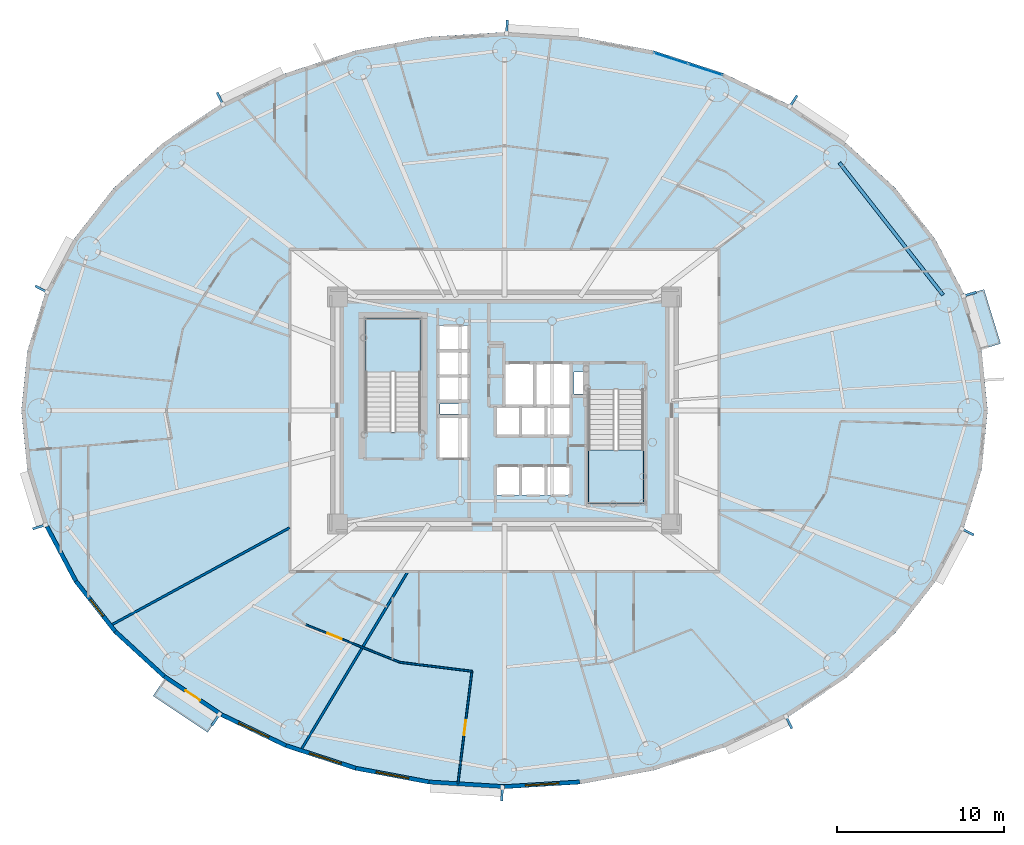
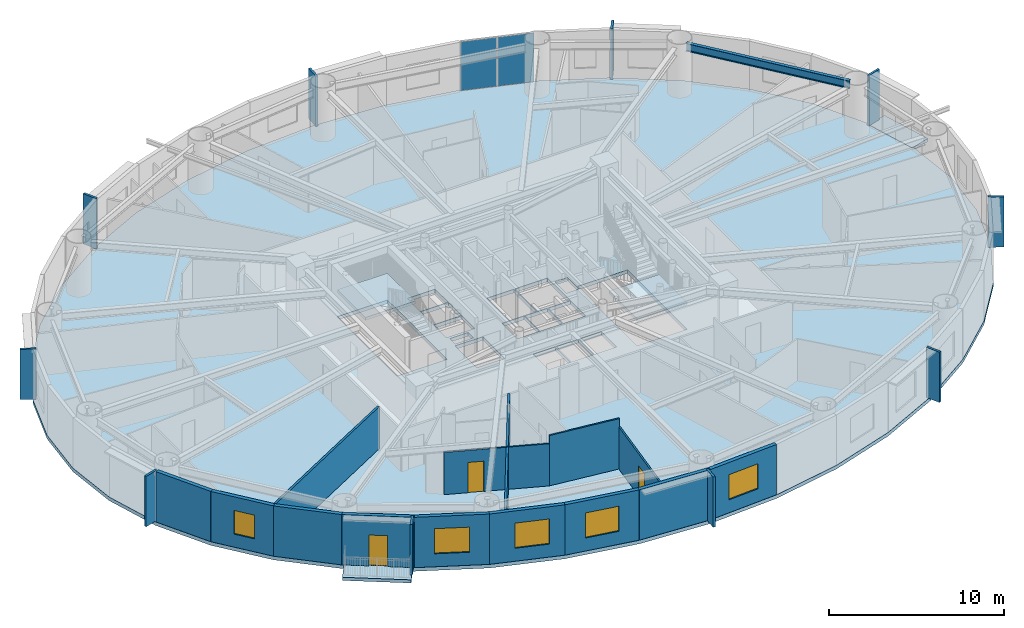
# One storey, part 6 of 18: 14 walls, 12 plates, 5 slabs, 5 windows, 3 doors, 1 beam, 8 openings, 3 elements without a shape of their own.
"""IFC4 building model written with IfcOpenShell, lengths in metres."""

import ifcopenshell
import ifcopenshell.guid

model = None  # the IFC model being written
_history = None  # IfcOwnerHistory: only IFC2X3 demands one
_inside = {}  # id of a spatial element -> (the spatial element, [elements in it])
_under = {}  # id of a project, library or spatial element -> (it, [spatial elements below it])
_declared = {}  # id of a project -> (the project, [libraries it declares])
_typed = {}  # id of a type object -> (the type object, [elements of that type])
_made_of = {}  # id of a material, layer set ... -> (it, [elements and type objects made of it])


def new_model(schema):
    """Start an empty IFC model of exactly this schema.

    Asked for "IFC4X3", IfcOpenShell would pick the latest addendum, in which some entities
    have other attributes; the version numbers below select the first issue.
    IFC2X3 requires an IfcOwnerHistory on every rooted entity: one is made here for all.
    """
    global model, _history
    if schema == "IFC4X3":
        model = ifcopenshell.file(schema_version=(4, 3, 0, 0))
    else:
        model = ifcopenshell.file(schema=schema)
    _inside.clear()
    _under.clear()
    _declared.clear()
    _typed.clear()
    _made_of.clear()
    _history = None
    if model.schema == "IFC2X3":
        org = make("IfcOrganization", Name="unknown")
        user = make(
            "IfcPersonAndOrganization",
            ThePerson=make("IfcPerson", FamilyName="unknown"),
            TheOrganization=org,
        )
        app = make(
            "IfcApplication",
            ApplicationDeveloper=org,
            Version="unknown",
            ApplicationFullName="unknown",
            ApplicationIdentifier="unknown",
        )
        _history = make(
            "IfcOwnerHistory",
            OwningUser=user,
            OwningApplication=app,
            ChangeAction="ADDED",
            CreationDate=0,
        )
    return model


def make(cls, **values):
    """One entity of the class cls with the attributes given. An attribute that is None is left unset."""
    return model.create_entity(
        cls, **{name: value for name, value in values.items() if value is not None}
    )


def rooted(cls, **values):
    """An entity with a GlobalId (a new one), such as an element, a storey or a relation."""
    return make(cls, GlobalId=ifcopenshell.guid.new(), OwnerHistory=_history, **values)


def si_unit(unit_type, name, prefix=None):
    """IfcSIUnit, for example si_unit("LENGTHUNIT", "METRE", prefix="MILLI")."""
    return make("IfcSIUnit", UnitType=unit_type, Prefix=prefix, Name=name)


def assignment(units):
    """IfcUnitAssignment: the units of a project."""
    return None if units is None else make("IfcUnitAssignment", Units=units)


def point(xyz):
    """IfcCartesianPoint."""
    return None if xyz is None else make("IfcCartesianPoint", Coordinates=xyz)


def direction(xyz):
    """IfcDirection."""
    return None if xyz is None else make("IfcDirection", DirectionRatios=xyz)


def frame(location, z_axis=None, x_axis=None):
    """IfcAxis2Placement3D, a coordinate frame: its origin and axes. An axis left out is left unset."""
    return make(
        "IfcAxis2Placement3D",
        Location=point(location),
        Axis=direction(z_axis),
        RefDirection=direction(x_axis),
    )


def frame_2d(location, x_axis=None):
    """IfcAxis2Placement2D, a coordinate frame in the plane: its origin and x axis."""
    return make(
        "IfcAxis2Placement2D", Location=point(location), RefDirection=direction(x_axis)
    )


def origin():
    """The frame at (0, 0, 0) with its axes left unset."""
    return frame((0.0, 0.0, 0.0))


def origin_2d():
    """The frame at (0, 0) in the plane with its x axis left unset."""
    return frame_2d((0.0, 0.0))


def place(relative_to, where):
    """IfcLocalPlacement: puts the frame where relative to a parent placement (None: the world)."""
    return make(
        "IfcLocalPlacement", PlacementRelTo=relative_to, RelativePlacement=where
    )


def context(
    kind, dimensions, precision=None, world=None, true_north=None, identifier=None
):
    """IfcGeometricRepresentationContext, for example the 3D "Model" context."""
    return make(
        "IfcGeometricRepresentationContext",
        ContextIdentifier=identifier,
        ContextType=kind,
        CoordinateSpaceDimension=dimensions,
        Precision=precision,
        WorldCoordinateSystem=world,
        TrueNorth=true_north,
    )


def subcontext(parent, identifier, kind, view, scale=None):
    """IfcGeometricRepresentationSubContext, for example "Body" below "Model"."""
    return make(
        "IfcGeometricRepresentationSubContext",
        ContextIdentifier=identifier,
        ContextType=kind,
        ParentContext=parent,
        TargetScale=scale,
        TargetView=view,
    )


def project(units=None, contexts=None):
    """IfcProject with its units and contexts."""
    return rooted(
        "IfcProject",
        Name="project",
        RepresentationContexts=contexts,
        UnitsInContext=assignment(units),
    )


def spatial(cls, under=None, at=None, **own):
    """A site, building, storey or space (cls), placed at a placement, below another one or the project."""
    s = rooted(cls, ObjectPlacement=at, **own)
    if under is not None:
        _under.setdefault(under.id(), (under, []))[1].append(s)
    return s


def polyline(points):
    """IfcPolyline through the points."""
    return make("IfcPolyline", Points=[point(p) for p in points])


def profile(cls, at=None, kind="AREA", **sizes):
    """A parametric profile (cls). Its sizes go by their IFC names, for example OverallWidth=200.0."""
    return make(cls, ProfileType=kind, Position=at, **sizes)


def rectangle(**sizes):
    """IfcRectangleProfileDef."""
    return profile("IfcRectangleProfileDef", **sizes)


def i_section(**sizes):
    """IfcIShapeProfileDef."""
    return profile("IfcIShapeProfileDef", **sizes)


def outline(outer, holes=None, kind="AREA"):
    """IfcArbitraryClosedProfileDef: a profile drawn as a closed curve; with holes, ...WithVoids."""
    if holes is None:
        return make("IfcArbitraryClosedProfileDef", ProfileType=kind, OuterCurve=outer)
    return make(
        "IfcArbitraryProfileDefWithVoids",
        ProfileType=kind,
        OuterCurve=outer,
        InnerCurves=holes,
    )


def extrude(swept, where, along, depth):
    """IfcExtrudedAreaSolid: the profile swept, set in the frame where, extruded along a direction by depth."""
    return make(
        "IfcExtrudedAreaSolid",
        SweptArea=swept,
        Position=where,
        ExtrudedDirection=direction(along),
        Depth=depth,
    )


def shape(context_of_items, identifier, shape_type, items):
    """IfcShapeRepresentation: the items that make up one representation, for example the "Body"."""
    return make(
        "IfcShapeRepresentation",
        ContextOfItems=context_of_items,
        RepresentationIdentifier=identifier,
        RepresentationType=shape_type,
        Items=items,
    )


def source(mapping_origin, context_of_items, identifier, shape_type, items):
    """IfcRepresentationMap: a shape defined once, which mapped items show again and again."""
    return make(
        "IfcRepresentationMap",
        MappingOrigin=mapping_origin,
        MappedRepresentation=shape(context_of_items, identifier, shape_type, items),
    )


def transform(
    local_origin,
    x_axis=None,
    y_axis=None,
    z_axis=None,
    scale=None,
    scale2=None,
    scale3=None,
    uniform=True,
):
    """IfcCartesianTransformationOperator3D, or its non-uniform kind. x_axis, y_axis, z_axis: its Axis1, 2, 3."""
    if uniform:
        return make(
            "IfcCartesianTransformationOperator3D",
            Axis1=direction(x_axis),
            Axis2=direction(y_axis),
            LocalOrigin=point(local_origin),
            Scale=scale,
            Axis3=direction(z_axis),
        )
    return make(
        "IfcCartesianTransformationOperator3DnonUniform",
        Axis1=direction(x_axis),
        Axis2=direction(y_axis),
        LocalOrigin=point(local_origin),
        Scale=scale,
        Axis3=direction(z_axis),
        Scale2=scale2,
        Scale3=scale3,
    )


def mapped(mapping_source, mapping_target):
    """IfcMappedItem: shows the shape of a source again, moved by a transform."""
    return make(
        "IfcMappedItem", MappingSource=mapping_source, MappingTarget=mapping_target
    )


def material(Name=None, Category=None):
    """IfcMaterial."""
    return make("IfcMaterial", Name=Name, Category=Category)


def layer(
    of_material, thickness, ventilated=None, Name=None, Category=None, Priority=None
):
    """IfcMaterialLayer: one layer of a wall or slab, of a material (None: an air gap)."""
    return make(
        "IfcMaterialLayer",
        Material=of_material,
        LayerThickness=thickness,
        IsVentilated=ventilated,
        Name=Name,
        Category=Category,
        Priority=Priority,
    )


def layer_set(layers, Name=None):
    """IfcMaterialLayerSet."""
    return make("IfcMaterialLayerSet", MaterialLayers=layers, LayerSetName=Name)


def material_profile(
    of_material, cross_section, Name=None, Category=None, Priority=None
):
    """IfcMaterialProfile: a cross section and its material."""
    return make(
        "IfcMaterialProfile",
        Name=Name,
        Material=of_material,
        Profile=cross_section,
        Priority=Priority,
        Category=Category,
    )


def profile_set(profiles, Name=None, composite=None):
    """IfcMaterialProfileSet."""
    return make(
        "IfcMaterialProfileSet",
        Name=Name,
        MaterialProfiles=profiles,
        CompositeProfile=composite,
    )


def made_of(thing, what):
    """Note that an element or type object is made of a material, layer set ...; save() writes the relation."""
    if what is not None:
        _made_of.setdefault(what.id(), (what, []))[1].append(thing)
    return thing


def type_object(cls, material=None, **own):
    """A type object (cls), such as IfcWallType, which elements share."""
    return made_of(rooted(cls, **own), material)


def element(
    cls,
    number,
    at=None,
    inside=None,
    cuts=None,
    type_object=None,
    material=None,
    context=None,
    identifier="Body",
    shape_type=None,
    held_by="IfcProductDefinitionShape",
    body=None,
    shapes=None,
    **own,
):
    """One element of the class cls, such as IfcWall. Its Tag is "e" and its number.

    at: its placement. inside: the storey or other place that contains it. cuts: it is an
    opening in that element (IfcRelVoidsElement). A single representation is given by context,
    identifier, shape_type and body (its items); several are given by shapes. held_by: the class
    of the entity that holds the representations. save() writes the other relations.
    """
    e = rooted(cls, Tag="e%d" % number, ObjectPlacement=at, **own)
    if body is not None:
        shapes = [shape(context, identifier, shape_type, body)]
    if shapes is not None:
        e.Representation = make(held_by, Representations=shapes)
    if inside is not None:
        _inside.setdefault(inside.id(), (inside, []))[1].append(e)
    if cuts is not None:
        rooted(
            "IfcRelVoidsElement", RelatingBuildingElement=cuts, RelatedOpeningElement=e
        )
    if type_object is not None:
        _typed.setdefault(type_object.id(), (type_object, []))[1].append(e)
    return made_of(e, material)


def fill(opening, filler):
    """IfcRelFillsElement: the door or window that sits in an opening."""
    return rooted(
        "IfcRelFillsElement",
        RelatingOpeningElement=opening,
        RelatedBuildingElement=filler,
    )


def aggregate(whole, parts):
    """IfcRelAggregates: a whole, such as a stair, and the parts it consists of."""
    return rooted("IfcRelAggregates", RelatingObject=whole, RelatedObjects=parts)


def save(model, path):
    """Write the relations noted so far, then the file.

    IfcRelAggregates (storeys below a building ...), IfcRelContainedInSpatialStructure (elements
    in a storey), IfcRelDefinesByType, IfcRelAssociatesMaterial and IfcRelDeclares: one each for
    every whole, place, type object, material and project.
    """
    for whole, parts in _under.values():
        aggregate(whole, parts)
    for where, things in _inside.values():
        rooted(
            "IfcRelContainedInSpatialStructure",
            RelatedElements=things,
            RelatingStructure=where,
        )
    for kind, things in _typed.values():
        rooted("IfcRelDefinesByType", RelatedObjects=things, RelatingType=kind)
    for what, things in _made_of.values():
        rooted("IfcRelAssociatesMaterial", RelatedObjects=things, RelatingMaterial=what)
    for by, libraries in _declared.values():
        rooted("IfcRelDeclares", RelatingContext=by, RelatedDefinitions=libraries)
    model.write(path)


model = new_model("IFC4")

# Units and contexts
model_context = context("Model", 3, precision=1e-05, world=origin(), true_north=direction((0.0, 1.0)))
body_context = subcontext(model_context, "Body", "Model", "MODEL_VIEW")
ifc_project = project(units=[si_unit("LENGTHUNIT", "METRE"), si_unit("AREAUNIT", "SQUARE_METRE"), si_unit("VOLUMEUNIT", "CUBIC_METRE"), si_unit("PLANEANGLEUNIT", "RADIAN"), si_unit("MASSUNIT", "GRAM", prefix="KILO")], contexts=[model_context])

# Site, building, storey
site_placement = place(None, origin())
site = spatial("IfcSite", under=ifc_project, at=site_placement, CompositionType="ELEMENT")
building_placement = place(site_placement, origin())
building = spatial("IfcBuilding", under=site, at=building_placement, Name="Linh Dai School and Residence Tower", CompositionType="ELEMENT")
storey_placement = place(building_placement, frame((0.0, 0.0, 100.949951171875)))
storey = spatial("IfcBuildingStorey", under=building, at=storey_placement, Name="L23", CompositionType="ELEMENT", Elevation=100.949951171875)

# Beam
ifc_material_1 = material(Name="Structural Steel S355JR", Category="steel")
ifc_material_profile = material_profile(ifc_material_1, i_section(OverallWidth=0.2099609375, OverallDepth=0.550048828125, WebThickness=0.010986328125, FlangeThickness=0.01708984375, FilletRadius=0.02392578125, at=origin_2d()), Name="IPE 550")
ifc_profile_set = profile_set([ifc_material_profile], Name="Structural Steel S355JR")
beam_type = type_object("IfcBeamType", Name="BM-RB55", PredefinedType="BEAM", material=ifc_profile_set)
beam_placement = place(storey_placement, frame((62.233642578125, 33.91162109375, 3.22509765625), z_axis=(-0.616854830973, 0.787076945098, 0.0), x_axis=(-0.787076945098, -0.616854830973, 0.0)))
element("IfcBeam", 1, at=beam_placement, inside=storey, type_object=beam_type, Name="L23 Perimeter Elliptical Ring Beam 02", PredefinedType="BEAM", context=body_context, shape_type="SweptSolid", body=[
    extrude(i_section(OverallWidth=0.2099609375, OverallDepth=0.550048828125, WebThickness=0.010986328125, FlangeThickness=0.01708984375, FilletRadius=0.02392578125, at=origin_2d()), origin(), (0.0, 0.0, 1.0), 10.053955078125),
])

# Slabs
ifc_material_2 = material(Name="Concrete B45 (C35/45)", Category="concrete")
ifc_layer_1 = layer(ifc_material_2, 0.219970703125)
ifc_layer_set_1 = layer_set([ifc_layer_1], Name="Concrete B45 (C35/45)")
slab_type_1 = type_object("IfcSlabType", Name="SLB-BALC-220", PredefinedType="FLOOR", material=ifc_layer_set_1)
slab_1_placement = place(storey_placement, frame((0.0, 0.0, -0.219970703125)))
element("IfcSlab", 2, at=slab_1_placement, inside=storey, type_object=slab_type_1, Name="L23 Sliding Balcony Slab 02", PredefinedType="FLOOR", context=body_context, shape_type="SweptSolid", body=[
    extrude(outline(polyline([(63.4423828125, 33.86279296875), (64.435302734375, 30.6240234375), (65.67822265625, 31.005126953125), (64.685302734375, 34.243896484375), (63.4423828125, 33.86279296875)])), origin(), (0.0, 0.0, 1.0), 0.219970703125),
])
slab_2_placement = place(storey_placement, frame((0.0, 0.0, -0.219970703125)))
element("IfcSlab", 3, at=slab_2_placement, inside=storey, type_object=slab_type_1, Name="L23 Sliding Balcony Slab 26", PredefinedType="FLOOR", context=body_context, shape_type="SweptSolid", body=[
    extrude(outline(polyline([(18.966796875, 8.81884765625), (15.69970703125, 11.003662109375), (14.97705078125, 9.923095703125), (18.243896484375, 7.73828125), (18.966796875, 8.81884765625)])), origin(), (0.0, 0.0, 1.0), 0.219970703125),
])
ifc_layer_2 = layer(ifc_material_2, 0.25)
ifc_layer_set_2 = layer_set([ifc_layer_2], Name="Concrete B45 (C35/45)")
slab_type_2 = type_object("IfcSlabType", Name="SLB-FLR250", PredefinedType="FLOOR", material=ifc_layer_set_2)
slab_3_placement = place(storey_placement, frame((0.0, 0.0, -0.25)))
element("IfcSlab", 4, at=slab_3_placement, inside=storey, type_object=slab_type_2, Name="L23 Composite Structural Floor Slab", PredefinedType="FLOOR", context=body_context, shape_type="SweptSolid", body=[
    extrude(outline(polyline([(64.89990234375, 27.0), (64.544189453125, 30.5400390625), (63.485595703125, 33.9931640625), (61.75, 37.27392578125), (59.380615234375, 40.301513671875), (56.435302734375, 43.001708984375), (52.987060546875, 45.30810546875), (49.120361328125, 47.16357421875), (44.9306640625, 48.5224609375), (40.52099609375, 49.351318359375), (36.0, 49.6298828125), (31.47900390625, 49.351318359375), (27.0693359375, 48.5224609375), (22.879638671875, 47.16357421875), (19.012939453125, 45.30810546875), (15.564697265625, 43.001708984375), (12.619384765625, 40.301513671875), (10.25, 37.27392578125), (8.514404296875, 33.9931640625), (7.455810546875, 30.5400390625), (7.10009765625, 27.0), (7.455810546875, 23.4599609375), (8.514404296875, 20.0068359375), (10.25, 16.72607421875), (12.619384765625, 13.698486328125), (15.564697265625, 10.998291015625), (19.012939453125, 8.69189453125), (22.879638671875, 6.83642578125), (27.0693359375, 5.4775390625), (31.47900390625, 4.648681640625), (36.0, 4.3701171875), (40.52099609375, 4.648681640625), (44.9306640625, 5.4775390625), (49.120361328125, 6.83642578125), (52.987060546875, 8.69189453125), (56.435302734375, 10.998291015625), (59.380615234375, 13.698486328125), (61.75, 16.72607421875), (63.485595703125, 20.0068359375), (64.544189453125, 23.4599609375), (64.89990234375, 27.0)]), holes=[polyline([(30.97998046875, 25.699951171875), (30.97998046875, 32.5), (27.679931640625, 32.5), (27.679931640625, 25.699951171875), (30.97998046875, 25.699951171875)]), polyline([(41.02001953125, 28.25), (41.02001953125, 21.449951171875), (44.320068359375, 21.449951171875), (44.320068359375, 28.25), (41.02001953125, 28.25)]), polyline([(35.97998046875, 27.280029296875), (37.77001953125, 27.280029296875), (37.77001953125, 29.820068359375), (35.97998046875, 29.820068359375), (35.97998046875, 27.280029296875)]), polyline([(32.030029296875, 24.1298828125), (33.8701171875, 24.1298828125), (33.8701171875, 26.6201171875), (32.030029296875, 26.6201171875), (32.030029296875, 24.1298828125)]), polyline([(37.830078125, 27.280029296875), (39.969970703125, 27.280029296875), (39.969970703125, 29.820068359375), (37.830078125, 29.820068359375), (37.830078125, 27.280029296875)]), polyline([(35.47998046875, 21.929931640625), (36.929931640625, 21.929931640625), (36.929931640625, 23.669921875), (35.47998046875, 23.669921875), (35.47998046875, 21.929931640625)]), polyline([(36.989990234375, 21.929931640625), (38.449951171875, 21.929931640625), (38.449951171875, 23.669921875), (36.989990234375, 23.669921875), (36.989990234375, 21.929931640625)]), polyline([(38.510009765625, 21.929931640625), (39.969970703125, 21.929931640625), (39.969970703125, 23.669921875), (38.510009765625, 23.669921875), (38.510009765625, 21.929931640625)]), polyline([(32.030029296875, 27.580078125), (33.8701171875, 27.580078125), (33.8701171875, 29.030029296875), (32.030029296875, 29.030029296875), (32.030029296875, 27.580078125)]), polyline([(32.030029296875, 29.090087890625), (33.8701171875, 29.090087890625), (33.8701171875, 30.550048828125), (32.030029296875, 30.550048828125), (32.030029296875, 29.090087890625)]), polyline([(32.030029296875, 30.610107421875), (33.8701171875, 30.610107421875), (33.8701171875, 32.070068359375), (32.030029296875, 32.070068359375), (32.030029296875, 30.610107421875)]), polyline([(35.47998046875, 25.47998046875), (36.929931640625, 25.47998046875), (36.929931640625, 27.219970703125), (35.47998046875, 27.219970703125), (35.47998046875, 25.47998046875)]), polyline([(36.989990234375, 25.47998046875), (38.449951171875, 25.47998046875), (38.449951171875, 27.219970703125), (36.989990234375, 27.219970703125), (36.989990234375, 25.47998046875)]), polyline([(38.510009765625, 25.47998046875), (39.969970703125, 25.47998046875), (39.969970703125, 27.219970703125), (38.510009765625, 27.219970703125), (38.510009765625, 25.47998046875)]), polyline([(40.14990234375, 28.0), (40.14990234375, 29.300048828125), (41.0, 29.300048828125), (41.0, 28.280029296875), (40.989990234375, 28.280029296875), (40.989990234375, 28.0), (40.14990234375, 28.0)]), polyline([(32.14990234375, 26.800048828125), (33.35009765625, 26.800048828125), (33.35009765625, 27.39990234375), (32.14990234375, 27.39990234375), (32.14990234375, 26.800048828125)])]), origin(), (0.0, 0.0, 1.0), 0.25),
])

# Stair, slab
stair_type = type_object("IfcStairType", Name="ST-DOG-1550-R1442", PredefinedType="HALF_TURN_STAIR", material=ifc_material_2)
stair_1_placement = place(storey_placement, origin())
stair_1 = element("IfcStair", 5, at=stair_1_placement, inside=storey, type_object=stair_type, Name="L23 Core Smokeproof Exit Stair ST1", PredefinedType="HALF_TURN_STAIR")
ifc_layer_3 = layer(ifc_material_2, 0.199951171875)
ifc_layer_set_3 = layer_set([ifc_layer_3], Name="Concrete B45 (C35/45)")
slab_type_3 = type_object("IfcSlabType", Name="SLB-ST-LANDING-200", PredefinedType="LANDING", material=ifc_layer_set_3)
slab_4_placement = place(storey_placement, frame((0.0, 0.0, 1.675048828125)))
slab_4 = element("IfcSlab", 6, at=slab_4_placement, type_object=slab_type_3, Name="ST1 landing 1", PredefinedType="LANDING", context=body_context, shape_type="SweptSolid", body=[
    extrude(outline(polyline([(30.97998046875, 29.300048828125), (30.97998046875, 32.5), (27.679931640625, 32.5), (27.679931640625, 29.300048828125), (30.97998046875, 29.300048828125)])), origin(), (0.0, 0.0, 1.0), 0.199951171875),
])
aggregate(stair_1, [slab_4])

stair_2_placement = place(storey_placement, origin())
stair_2 = element("IfcStair", 7, at=stair_2_placement, inside=storey, type_object=stair_type, Name="L23 Core Smokeproof Exit Stair ST2", PredefinedType="HALF_TURN_STAIR")
slab_5_placement = place(storey_placement, frame((0.0, 0.0, 1.675048828125)))
slab_5 = element("IfcSlab", 8, at=slab_5_placement, type_object=slab_type_3, Name="ST2 landing 1", PredefinedType="LANDING", context=body_context, shape_type="SweptSolid", body=[
    extrude(outline(polyline([(41.02001953125, 24.64990234375), (41.02001953125, 21.449951171875), (44.320068359375, 21.449951171875), (44.320068359375, 24.64990234375), (41.02001953125, 24.64990234375)])), origin(), (0.0, 0.0, 1.0), 0.199951171875),
])
aggregate(stair_2, [slab_5])

# Plates
ifc_material_3 = material(Name="Precast Concrete B45 (C35/45)", Category="concrete")
ifc_layer_4 = layer(ifc_material_3, 0.139892578125)
ifc_layer_set_4 = layer_set([ifc_layer_4], Name="Precast Concrete B45 (C35/45)")
plate_type_1 = type_object("IfcPlateType", Name="FIN-TC-900x140", PredefinedType="USERDEFINED", material=ifc_layer_set_4)
shared_shape_1 = source(origin(), body_context, "Body", "SweptSolid", [
    extrude(rectangle(XDim=0.89990234375, YDim=0.139892578125, at=origin_2d()), origin(), (0.0, 0.0, 1.0), 3.5),
])
for number, where, z_axis, x_axis, name in (
    (9, (63.79736328125, 33.95068359375, 0.0), (0.0, 0.0, 1.0), (0.956071511028, 0.293133528962, 0.0), "L23 Precast Terracotta Radial Fin 02"),
    (10, (53.2529296875, 45.473388671875, 0.0), (0.0, 0.0, 1.0), (0.555913198527, 0.831240347736, 0.0), "L23 Precast Terracotta Radial Fin 06"),
    (11, (36.14501953125, 49.90673828125, 0.0), (0.0, 0.0, 1.0), (0.061509255091, 0.998106513123, 0.0), "L23 Precast Terracotta Radial Fin 10"),
    (12, (19.005615234375, 45.620849609375, 0.0), (0.0, 0.0, 1.0), (-0.432617589064, 0.901577518371, 0.0), "L23 Precast Terracotta Radial Fin 14"),
    (13, (8.32373046875, 34.242919921875, 0.0), (0.0, 0.0, 1.0), (-0.883942180016, 0.467596217252, 0.0), "L23 Precast Terracotta Radial Fin 18"),
    (14, (8.20263671875, 20.04931640625, 0.0), (0.0, 0.0, 1.0), (-0.956071511028, -0.293133528962, 0.0), "L23 Precast Terracotta Radial Fin 22"),
    (15, (18.7470703125, 8.526611328125, 0.0), (0.0, 0.0, 1.0), (-0.555913198527, -0.831240347736, 0.0), "L23 Precast Terracotta Radial Fin 26"),
    (16, (35.85498046875, 4.09326171875, 0.0), (0.0, 0.0, 1.0), (-0.061509255091, -0.998106513123, 0.0), "L23 Precast Terracotta Radial Fin 30"),
    (17, (52.994384765625, 8.379150390625, 0.0), (0.0, 0.0, 1.0), (0.432617589064, -0.901577518371, 0.0), "L23 Precast Terracotta Radial Fin 34"),
    (18, (63.67626953125, 19.757080078125, 0.0), (0.0, 0.0, 1.0), (0.883942180016, -0.467596217252, 0.0), "L23 Precast Terracotta Radial Fin 38"),
):
    element("IfcPlate", number, at=place(storey_placement, frame(where, z_axis=z_axis, x_axis=x_axis)), inside=storey, type_object=plate_type_1, Name=name, ObjectType="RADIAL FIN", PredefinedType="USERDEFINED", context=body_context, shape_type="MappedRepresentation", body=[
        mapped(shared_shape_1, transform((0.0, 0.0, 0.0), x_axis=(1.0, 0.0, 0.0), y_axis=(0.0, 1.0, 0.0), z_axis=(0.0, 0.0, 1.0), scale=1.0)),
    ])

# Curtain wall, plates
ifc_material_4 = material(Name="Aluminium Anodised Curtain Wall", Category="aluminium")
ifc_layer_5 = layer(ifc_material_4, 0.14990234375)
ifc_layer_set_5 = layer_set([ifc_layer_5], Name="Aluminium Anodised Curtain Wall")
curtain_wall_type = type_object("IfcCurtainWallType", Name="CW-SYS-4", PredefinedType="USERDEFINED", material=ifc_layer_set_5)
curtain_wall_placement = place(storey_placement, origin())
curtain_wall = element("IfcCurtainWall", 19, at=curtain_wall_placement, inside=storey, type_object=curtain_wall_type, Name="L23 CW4 Curtain Wall 08", ObjectType="RIBBON CURTAIN WALL", PredefinedType="USERDEFINED")
ifc_material_5 = material(Name="Double Low-E Insulated Glazing", Category="glass")
ifc_layer_6 = layer(ifc_material_5, 0.02587890625)
ifc_layer_set_6 = layer_set([ifc_layer_6], Name="Double Low-E Insulated Glazing")
plate_type_2 = type_object("IfcPlateType", Name="CW-SYS-4-PAN", PredefinedType="CURTAIN_PANEL", material=ifc_layer_set_6)
shared_shape_2 = source(origin(), body_context, "Body", "SweptSolid", [
    extrude(rectangle(XDim=2.1162109375, YDim=0.02587890625, at=origin_2d()), origin(), (0.0, 0.0, 1.0), 3.39599609375),
])
plate_1_placement = place(storey_placement, frame((45.955810546875, 48.058837890625, 0.052001953125), z_axis=(0.0, 0.0, 1.0), x_axis=(0.951217089442, -0.308522363457, 0.0)))
plate_1 = element("IfcPlate", 20, at=plate_1_placement, type_object=plate_type_2, Name="CW4 panel 1.1", PredefinedType="CURTAIN_PANEL", context=body_context, shape_type="MappedRepresentation", body=[
    mapped(shared_shape_2, transform((0.0, 0.0, 0.0), x_axis=(1.0, 0.0, 0.0), y_axis=(0.0, 1.0, 0.0), z_axis=(0.0, 0.0, 1.0), scale=1.0)),
])
plate_2_placement = place(storey_placement, frame((48.01806640625, 47.389892578125, 0.052001953125), z_axis=(0.0, 0.0, 1.0), x_axis=(0.951217089442, -0.308522363457, 0.0)))
plate_2 = element("IfcPlate", 21, at=plate_2_placement, type_object=plate_type_2, Name="CW4 panel 2.1", PredefinedType="CURTAIN_PANEL", context=body_context, shape_type="MappedRepresentation", body=[
    mapped(shared_shape_2, transform((0.0, 0.0, 0.0), x_axis=(1.0, 0.0, 0.0), y_axis=(0.0, 1.0, 0.0), z_axis=(0.0, 0.0, 1.0), scale=1.0)),
])
aggregate(curtain_wall, [plate_1, plate_2])

# Wall
ifc_layer_7 = layer(ifc_material_3, 0.239990234375)
ifc_layer_set_7 = layer_set([ifc_layer_7], Name="Precast Concrete B45 (C35/45)")
wall_type_1 = type_object("IfcWallType", Name="EW-TC-240", PredefinedType="SOLIDWALL", material=ifc_layer_set_7)
wall_1_placement = place(storey_placement, frame((10.354736328125, 16.79443359375, 0.0), z_axis=(0.0, 0.0, 1.0), x_axis=(-0.467614004126, 0.883932770716, 0.0)))
element("IfcWall", 22, at=wall_1_placement, inside=storey, type_object=wall_type_1, Name="L23 Terracotta Exterior Wall 23", PredefinedType="SOLIDWALL", context=body_context, shape_type="SweptSolid", body=[
    extrude(rectangle(XDim=3.688720703125, YDim=0.239990234375, at=frame_2d((1.84423828125, 0.0))), origin(), (0.0, 0.0, 1.0), 3.5),
])

# Wall, opening, window
wall_2_placement = place(storey_placement, frame((12.7109375, 13.783447265625, 0.0), z_axis=(0.0, 0.0, 1.0), x_axis=(-0.616272103517, 0.787533297345, 0.0)))
wall_2 = element("IfcWall", 23, at=wall_2_placement, inside=storey, type_object=wall_type_1, Name="L23 Terracotta Exterior Wall 24", PredefinedType="SOLIDWALL", context=body_context, shape_type="SweptSolid", body=[
    extrude(rectangle(XDim=3.8232421875, YDim=0.239990234375, at=frame_2d((1.91162109375, 0.0))), origin(), (0.0, 0.0, 1.0), 3.5),
])
opening_1_placement = place(wall_2_placement, frame((1.168212890625, 0.0, 0.89990234375)))
opening_1 = element("IfcOpeningElement", 24, at=opening_1_placement, cuts=wall_2, Name="Opening W3", PredefinedType="OPENING", context=body_context, shape_type="SweptSolid", body=[
    extrude(rectangle(XDim=1.25, YDim=1.64990234375, at=origin_2d()), frame((0.625, 0.1298828125, 0.824951171875), z_axis=(0.0, -1.0, 0.0), x_axis=(1.0, 0.0, 0.0)), (0.0, 0.0, 1.0), 0.260009765625),
])
window_type_1 = type_object("IfcWindowType", Name="WN-RES-1250x1650", PartitioningType="SINGLE_PANEL", PredefinedType="WINDOW", material=ifc_material_5)
shared_shape_3 = source(origin(), body_context, "Body", "SweptSolid", [
    extrude(rectangle(XDim=1.25, YDim=1.64990234375, at=origin_2d()), frame((0.625, 0.030029296875, 0.824951171875), z_axis=(0.0, -1.0, 0.0), x_axis=(1.0, 0.0, 0.0)), (0.0, 0.0, 1.0), 0.06005859375),
])
window_1_placement = place(opening_1_placement, origin())
window_1 = element("IfcWindow", 25, at=window_1_placement, inside=storey, type_object=window_type_1, Name="L23 Exterior Window 24.1", OverallHeight=1.64990234375, OverallWidth=1.25, PartitioningType="SINGLE_PANEL", PredefinedType="WINDOW", context=body_context, shape_type="MappedRepresentation", body=[
    mapped(shared_shape_3, transform((0.0, 0.0, 0.0), x_axis=(1.0, 0.0, 0.0), y_axis=(0.0, 1.0, 0.0), z_axis=(0.0, 0.0, 1.0), scale=1.0)),
])
fill(opening_1, window_1)

# Wall
wall_3_placement = place(storey_placement, frame((15.6416015625, 11.0966796875, 0.0), z_axis=(0.0, 0.0, 1.0), x_axis=(-0.737113356241, 0.675769117414, 0.0)))
element("IfcWall", 26, at=wall_3_placement, inside=storey, type_object=wall_type_1, Name="L23 Terracotta Exterior Wall 25", PredefinedType="SOLIDWALL", context=body_context, shape_type="SweptSolid", body=[
    extrude(rectangle(XDim=3.975830078125, YDim=0.239990234375, at=frame_2d((1.98779296875, 0.0))), origin(), (0.0, 0.0, 1.0), 3.5),
])

# Wall, opening, door
wall_4_placement = place(storey_placement, frame((19.07470703125, 8.800537109375, 0.0), z_axis=(0.0, 0.0, 1.0), x_axis=(-0.831221811447, 0.555940914284, 0.0)))
wall_4 = element("IfcWall", 27, at=wall_4_placement, inside=storey, type_object=wall_type_1, Name="L23 Terracotta Exterior Wall 26", PredefinedType="SOLIDWALL", context=body_context, shape_type="SweptSolid", body=[
    extrude(rectangle(XDim=4.130126953125, YDim=0.239990234375, at=frame_2d((2.06494140625, 0.0))), origin(), (0.0, 0.0, 1.0), 3.5),
])
opening_2_placement = place(wall_4_placement, frame((1.5400390625, 0.0, 0.0)))
opening_2 = element("IfcOpeningElement", 28, at=opening_2_placement, cuts=wall_4, Name="Opening BD1", PredefinedType="OPENING", context=body_context, shape_type="SweptSolid", body=[
    extrude(rectangle(XDim=1.050048828125, YDim=2.14990234375, at=origin_2d()), frame((0.52490234375, 0.1298828125, 1.074951171875), z_axis=(0.0, -1.0, 0.0), x_axis=(1.0, 0.0, 0.0)), (0.0, 0.0, 1.0), 0.260009765625),
])
ifc_material_6 = material(Name="Double-Glazed Balcony Door", Category="glass")
door_type_1 = type_object("IfcDoorType", Name="DR-BALC-1050x2150", OperationType="NOTDEFINED", PredefinedType="DOOR", material=ifc_material_6)
shared_shape_4 = source(origin(), body_context, "Body", "SweptSolid", [
    extrude(rectangle(XDim=1.050048828125, YDim=2.14990234375, at=origin_2d()), frame((0.52490234375, 0.02490234375, 1.074951171875), z_axis=(0.0, -1.0, 0.0), x_axis=(1.0, 0.0, 0.0)), (0.0, 0.0, 1.0), 0.050048828125),
])
door_1_placement = place(opening_2_placement, origin())
door_1 = element("IfcDoor", 29, at=door_1_placement, inside=storey, type_object=door_type_1, Name="L23 Glazed Balcony Door 26", OperationType="SINGLE_SWING_LEFT", OverallHeight=2.14990234375, OverallWidth=1.050048828125, PredefinedType="DOOR", context=body_context, shape_type="MappedRepresentation", body=[
    mapped(shared_shape_4, transform((0.0, 0.0, 0.0), x_axis=(1.0, 0.0, 0.0), y_axis=(0.0, 1.0, 0.0), z_axis=(0.0, 0.0, 1.0), scale=1.0)),
])
fill(opening_2, door_1)

# Wall, opening, window
wall_5_placement = place(storey_placement, frame((22.926025390625, 6.95263671875, 0.0), z_axis=(0.0, 0.0, 1.0), x_axis=(-0.901589935876, 0.432591709962, 0.0)))
wall_5 = element("IfcWall", 30, at=wall_5_placement, inside=storey, type_object=wall_type_1, Name="L23 Terracotta Exterior Wall 27", PredefinedType="SOLIDWALL", context=body_context, shape_type="SweptSolid", body=[
    extrude(rectangle(XDim=4.271728515625, YDim=0.239990234375, at=frame_2d((2.1357421875, 0.0))), origin(), (0.0, 0.0, 1.0), 3.5),
])
opening_3_placement = place(wall_5_placement, frame((1.1357421875, 0.0, 0.89990234375)))
opening_3 = element("IfcOpeningElement", 31, at=opening_3_placement, cuts=wall_5, Name="Opening W1", PredefinedType="OPENING", context=body_context, shape_type="SweptSolid", body=[
    extrude(rectangle(XDim=2.0, YDim=1.75, at=origin_2d()), frame((1.0, 0.1298828125, 0.875), z_axis=(0.0, -1.0, 0.0), x_axis=(1.0, 0.0, 0.0)), (0.0, 0.0, 1.0), 0.260009765625),
])
window_type_2 = type_object("IfcWindowType", Name="WN-RES-2000x1750", PartitioningType="DOUBLE_PANEL_VERTICAL", PredefinedType="WINDOW", material=ifc_material_5)
shared_shape_5 = source(origin(), body_context, "Body", "SweptSolid", [
    extrude(rectangle(XDim=2.0, YDim=1.75, at=origin_2d()), frame((1.0, 0.030029296875, 0.875), z_axis=(0.0, -1.0, 0.0), x_axis=(1.0, 0.0, 0.0)), (0.0, 0.0, 1.0), 0.06005859375),
])
window_2_placement = place(opening_3_placement, origin())
window_2 = element("IfcWindow", 32, at=window_2_placement, inside=storey, type_object=window_type_2, Name="L23 Exterior Window 27.1", OverallHeight=1.75, OverallWidth=2.0, PartitioningType="DOUBLE_PANEL_VERTICAL", PredefinedType="WINDOW", context=body_context, shape_type="MappedRepresentation", body=[
    mapped(shared_shape_5, transform((0.0, 0.0, 0.0), x_axis=(1.0, 0.0, 0.0), y_axis=(0.0, 1.0, 0.0), z_axis=(0.0, 0.0, 1.0), scale=1.0)),
])
fill(opening_3, window_2)

wall_6_placement = place(storey_placement, frame((27.100341796875, 5.5986328125, 0.0), z_axis=(0.0, 0.0, 1.0), x_axis=(-0.951211346073, 0.308540070495, 0.0)))
wall_6 = element("IfcWall", 33, at=wall_6_placement, inside=storey, type_object=wall_type_1, Name="L23 Terracotta Exterior Wall 28", PredefinedType="SOLIDWALL", context=body_context, shape_type="SweptSolid", body=[
    extrude(rectangle(XDim=4.388427734375, YDim=0.239990234375, at=frame_2d((2.1943359375, 0.0))), origin(), (0.0, 0.0, 1.0), 3.5),
])
opening_4_placement = place(wall_6_placement, frame((0.908935546875, 0.0, 0.89990234375)))
opening_4 = element("IfcOpeningElement", 34, at=opening_4_placement, cuts=wall_6, Name="Opening W1", PredefinedType="OPENING", context=body_context, shape_type="SweptSolid", body=[
    extrude(rectangle(XDim=2.0, YDim=1.75, at=origin_2d()), frame((1.0, 0.1298828125, 0.875), z_axis=(0.0, -1.0, 0.0), x_axis=(1.0, 0.0, 0.0)), (0.0, 0.0, 1.0), 0.260009765625),
])
window_3_placement = place(opening_4_placement, origin())
window_3 = element("IfcWindow", 35, at=window_3_placement, inside=storey, type_object=window_type_2, Name="L23 Exterior Window 28.1", OverallHeight=1.75, OverallWidth=2.0, PartitioningType="DOUBLE_PANEL_VERTICAL", PredefinedType="WINDOW", context=body_context, shape_type="MappedRepresentation", body=[
    mapped(shared_shape_5, transform((0.0, 0.0, 0.0), x_axis=(1.0, 0.0, 0.0), y_axis=(0.0, 1.0, 0.0), z_axis=(0.0, 0.0, 1.0), scale=1.0)),
])
fill(opening_4, window_3)

wall_7_placement = place(storey_placement, frame((31.494384765625, 4.772705078125, 0.0), z_axis=(0.0, 0.0, 1.0), x_axis=(-0.982789252177, 0.184730305596, 0.0)))
wall_7 = element("IfcWall", 36, at=wall_7_placement, inside=storey, type_object=wall_type_1, Name="L23 Terracotta Exterior Wall 29", PredefinedType="SOLIDWALL", context=body_context, shape_type="SweptSolid", body=[
    extrude(rectangle(XDim=4.470947265625, YDim=0.239990234375, at=frame_2d((2.2353515625, 0.0))), origin(), (0.0, 0.0, 1.0), 3.5),
])
opening_5_placement = place(wall_7_placement, frame((1.235595703125, 0.0, 0.89990234375)))
opening_5 = element("IfcOpeningElement", 37, at=opening_5_placement, cuts=wall_7, Name="Opening W1", PredefinedType="OPENING", context=body_context, shape_type="SweptSolid", body=[
    extrude(rectangle(XDim=2.0, YDim=1.75, at=origin_2d()), frame((1.0, 0.1298828125, 0.875), z_axis=(0.0, -1.0, 0.0), x_axis=(1.0, 0.0, 0.0)), (0.0, 0.0, 1.0), 0.260009765625),
])
window_4_placement = place(opening_5_placement, origin())
window_4 = element("IfcWindow", 38, at=window_4_placement, inside=storey, type_object=window_type_2, Name="L23 Exterior Window 29.1", OverallHeight=1.75, OverallWidth=2.0, PartitioningType="DOUBLE_PANEL_VERTICAL", PredefinedType="WINDOW", context=body_context, shape_type="MappedRepresentation", body=[
    mapped(shared_shape_5, transform((0.0, 0.0, 0.0), x_axis=(1.0, 0.0, 0.0), y_axis=(0.0, 1.0, 0.0), z_axis=(0.0, 0.0, 1.0), scale=1.0)),
])
fill(opening_5, window_4)

# Wall
wall_8_placement = place(storey_placement, frame((36.0, 4.4951171875, 0.0), z_axis=(0.0, 0.0, 1.0), x_axis=(-0.998107531589, 0.061492726276, 0.0)))
element("IfcWall", 39, at=wall_8_placement, inside=storey, type_object=wall_type_1, Name="L23 Terracotta Exterior Wall 30", PredefinedType="SOLIDWALL", context=body_context, shape_type="SweptSolid", body=[
    extrude(rectangle(XDim=4.51416015625, YDim=0.239990234375, at=frame_2d((2.257080078125, 0.0))), origin(), (0.0, 0.0, 1.0), 3.5),
])

# Wall, opening, window
wall_9_placement = place(storey_placement, frame((40.505615234375, 4.772705078125, 0.0), z_axis=(0.0, 0.0, 1.0), x_axis=(-0.998107531589, -0.061492726276, 0.0)))
wall_9 = element("IfcWall", 40, at=wall_9_placement, inside=storey, type_object=wall_type_1, Name="L23 Terracotta Exterior Wall 31", PredefinedType="SOLIDWALL", context=body_context, shape_type="SweptSolid", body=[
    extrude(rectangle(XDim=4.51416015625, YDim=0.239990234375, at=frame_2d((2.257080078125, 0.0))), origin(), (0.0, 0.0, 1.0), 3.5),
])
opening_6_placement = place(wall_9_placement, frame((1.257080078125, 0.0, 0.89990234375)))
opening_6 = element("IfcOpeningElement", 41, at=opening_6_placement, cuts=wall_9, Name="Opening W1", PredefinedType="OPENING", context=body_context, shape_type="SweptSolid", body=[
    extrude(rectangle(XDim=2.0, YDim=1.75, at=origin_2d()), frame((1.0, 0.1298828125, 0.875), z_axis=(0.0, -1.0, 0.0), x_axis=(1.0, 0.0, 0.0)), (0.0, 0.0, 1.0), 0.260009765625),
])
window_5_placement = place(opening_6_placement, origin())
window_5 = element("IfcWindow", 42, at=window_5_placement, inside=storey, type_object=window_type_2, Name="L23 Exterior Window 31.1", OverallHeight=1.75, OverallWidth=2.0, PartitioningType="DOUBLE_PANEL_VERTICAL", PredefinedType="WINDOW", context=body_context, shape_type="MappedRepresentation", body=[
    mapped(shared_shape_5, transform((0.0, 0.0, 0.0), x_axis=(1.0, 0.0, 0.0), y_axis=(0.0, 1.0, 0.0), z_axis=(0.0, 0.0, 1.0), scale=1.0)),
])
fill(opening_6, window_5)

# Walls
ifc_material_7 = material(Name="Autoclaved Aerated Concrete Blockwork", Category="masonry")
ifc_layer_8 = layer(ifc_material_7, 0.135009765625)
ifc_layer_set_8 = layer_set([ifc_layer_8], Name="Autoclaved Aerated Concrete Blockwork")
wall_type_2 = type_object("IfcWallType", Name="IW-CORR-135-EI90", PredefinedType="PARTITIONING", material=ifc_layer_set_8)
wall_10_placement = place(storey_placement, frame((12.427001953125, 14.13818359375, 0.0), z_axis=(0.0, 0.0, 1.0), x_axis=(0.877835987922, 0.47896135367, 0.0)))
element("IfcWall", 43, at=wall_10_placement, inside=storey, type_object=wall_type_2, Name="L23 Interior Partition Wall 006", PredefinedType="PARTITIONING", context=body_context, shape_type="SweptSolid", body=[
    extrude(rectangle(XDim=12.215087890625, YDim=0.135009765625, at=frame_2d((6.107421875, 0.0))), origin(), (0.0, 0.0, 1.0), 2.93505859375),
])
wall_11_placement = place(storey_placement, frame((23.8076171875, 6.661376953125, 0.0), z_axis=(0.0, 0.0, 1.0), x_axis=(0.51416439954, 0.857691652195, 0.0)))
element("IfcWall", 44, at=wall_11_placement, inside=storey, type_object=wall_type_2, Name="L23 Interior Partition Wall 021", PredefinedType="PARTITIONING", context=body_context, shape_type="SweptSolid", body=[
    extrude(rectangle(XDim=12.4619140625, YDim=0.135009765625, at=frame_2d((6.23095703125, 0.0))), origin(), (0.0, 0.0, 1.0), 2.93505859375),
])

# Wall, opening, door
ifc_material_8 = material(Name="Gypsum Plasterboard Acoustic Stud Partition", Category="masonry")
ifc_layer_9 = layer(ifc_material_8, 0.10009765625)
ifc_layer_set_9 = layer_set([ifc_layer_9], Name="Gypsum Plasterboard Acoustic Stud Partition")
wall_type_3 = type_object("IfcWallType", Name="IW-UNIT-100", PredefinedType="PARTITIONING", material=ifc_layer_set_9)
wall_12_placement = place(storey_placement, frame((24.109130859375, 14.184326171875, 0.0), z_axis=(0.0, 0.0, 1.0), x_axis=(0.9288090756, -0.370558633798, 0.0)))
wall_12 = element("IfcWall", 45, at=wall_12_placement, inside=storey, type_object=wall_type_3, Name="L23 Interior Partition Wall 022", PredefinedType="PARTITIONING", context=body_context, shape_type="SweptSolid", body=[
    extrude(rectangle(XDim=6.072021484375, YDim=0.10009765625, at=frame_2d((3.0361328125, 0.0))), origin(), (0.0, 0.0, 1.0), 2.93505859375),
])
opening_7_placement = place(wall_12_placement, frame((1.398193359375, 0.0, 0.0)))
opening_7 = element("IfcOpeningElement", 46, at=opening_7_placement, cuts=wall_12, Name="Opening D05", PredefinedType="OPENING", context=body_context, shape_type="SweptSolid", body=[
    extrude(rectangle(XDim=0.89990234375, YDim=2.10009765625, at=origin_2d()), frame((0.449951171875, 0.06005859375, 1.050048828125), z_axis=(0.0, -1.0, 0.0), x_axis=(1.0, 0.0, 0.0)), (0.0, 0.0, 1.0), 0.1201171875),
])
ifc_material_9 = material(Name="Engineered Timber Internal Door", Category="wood")
door_type_2 = type_object("IfcDoorType", Name="DR-INT-900x2100", OperationType="NOTDEFINED", PredefinedType="DOOR", material=ifc_material_9)
shared_shape_6 = source(origin(), body_context, "Body", "SweptSolid", [
    extrude(rectangle(XDim=0.89990234375, YDim=2.10009765625, at=origin_2d()), frame((0.449951171875, 0.02490234375, 1.050048828125), z_axis=(0.0, -1.0, 0.0), x_axis=(1.0, 0.0, 0.0)), (0.0, 0.0, 1.0), 0.050048828125),
])
door_2_placement = place(opening_7_placement, origin())
door_2 = element("IfcDoor", 47, at=door_2_placement, inside=storey, type_object=door_type_2, Name="L23 Apartment U2306 Kitchen Door", OperationType="SINGLE_SWING_LEFT", OverallHeight=2.10009765625, OverallWidth=0.89990234375, PredefinedType="DOOR", context=body_context, shape_type="MappedRepresentation", body=[
    mapped(shared_shape_6, transform((0.0, 0.0, 0.0), x_axis=(1.0, 0.0, 0.0), y_axis=(0.0, 1.0, 0.0), z_axis=(0.0, 0.0, 1.0), scale=1.0)),
])
fill(opening_7, door_2)

# Wall
wall_13_placement = place(storey_placement, frame((29.74853515625, 11.934326171875, 0.0), z_axis=(0.0, 0.0, 1.0), x_axis=(0.992398657051, -0.123064639455, 0.0)))
element("IfcWall", 48, at=wall_13_placement, inside=storey, type_object=wall_type_3, Name="L23 Interior Partition Wall 029", PredefinedType="PARTITIONING", context=body_context, shape_type="SweptSolid", body=[
    extrude(rectangle(XDim=4.336669921875, YDim=0.10009765625, at=frame_2d((2.16845703125, 0.0))), origin(), (0.0, 0.0, 1.0), 3.5),
])

# Wall, opening, door
wall_14_placement = place(storey_placement, frame((33.210693359375, 4.661865234375, 0.0), z_axis=(0.0, 0.0, 1.0), x_axis=(0.123884295517, 0.992296670016, 0.0)))
wall_14 = element("IfcWall", 49, at=wall_14_placement, inside=storey, type_object=wall_type_3, Name="L23 Interior Partition Wall 039", PredefinedType="PARTITIONING", context=body_context, shape_type="SweptSolid", body=[
    extrude(rectangle(XDim=6.791015625, YDim=0.10009765625, at=frame_2d((3.3955078125, 0.0))), origin(), (0.0, 0.0, 1.0), 2.93505859375),
])
opening_8_placement = place(wall_14_placement, frame((2.945556640625, 0.0, 0.0)))
opening_8 = element("IfcOpeningElement", 50, at=opening_8_placement, cuts=wall_14, Name="Opening D05", PredefinedType="OPENING", context=body_context, shape_type="SweptSolid", body=[
    extrude(rectangle(XDim=0.89990234375, YDim=2.10009765625, at=origin_2d()), frame((0.449951171875, 0.06005859375, 1.050048828125), z_axis=(0.0, -1.0, 0.0), x_axis=(1.0, 0.0, 0.0)), (0.0, 0.0, 1.0), 0.1201171875),
])
door_3_placement = place(opening_8_placement, origin())
door_3 = element("IfcDoor", 51, at=door_3_placement, inside=storey, type_object=door_type_2, Name="L23 Apartment U2307 Principal Bedroom 1 Door", OperationType="SINGLE_SWING_RIGHT", OverallHeight=2.10009765625, OverallWidth=0.89990234375, PredefinedType="DOOR", context=body_context, shape_type="MappedRepresentation", body=[
    mapped(shared_shape_6, transform((0.0, 0.0, 0.0), x_axis=(1.0, 0.0, 0.0), y_axis=(0.0, 1.0, 0.0), z_axis=(0.0, 0.0, 1.0), scale=1.0)),
])
fill(opening_8, door_3)

save(model, "model.ifc")
